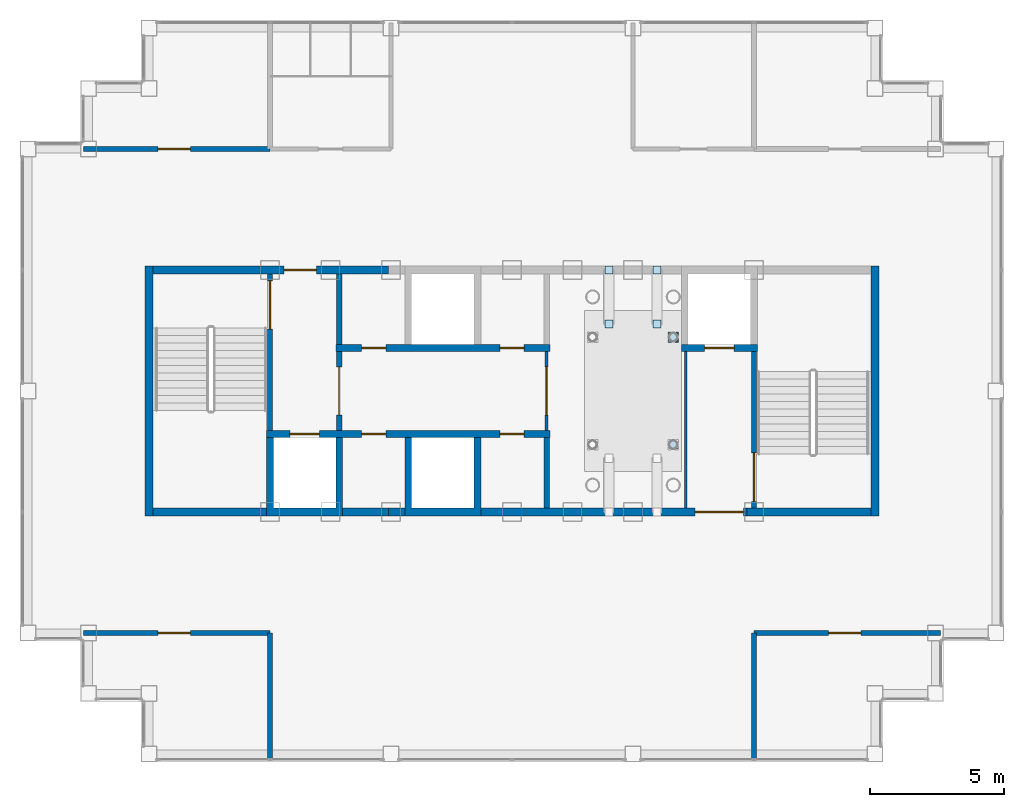
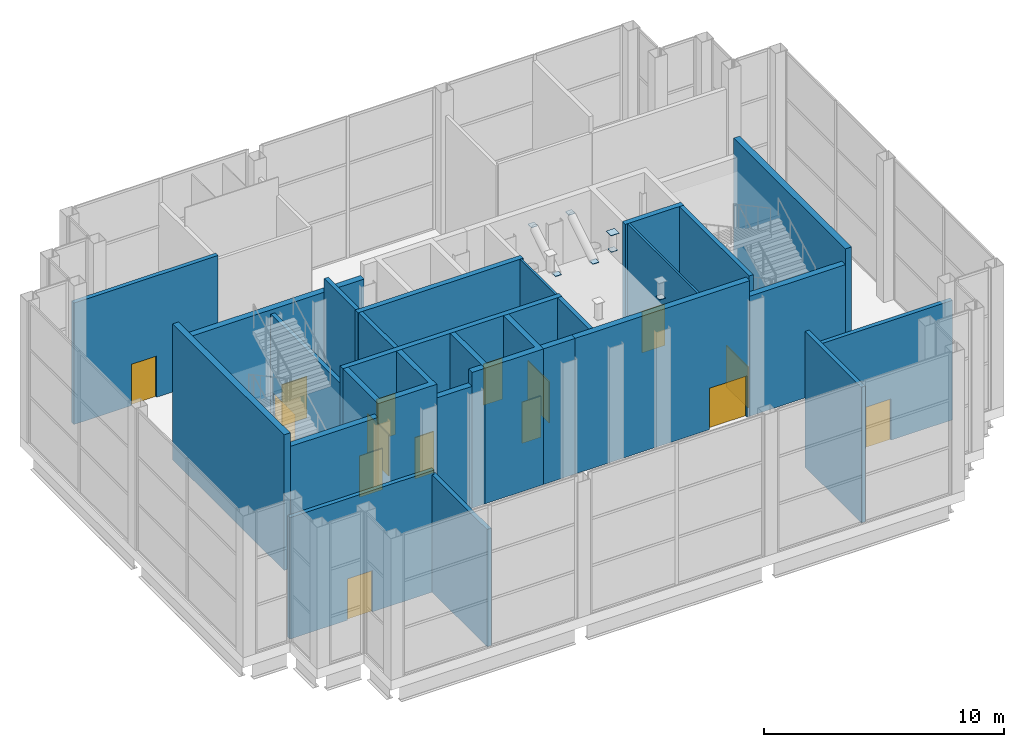
# One storey, part 9 of 15: 26 walls, 15 doors, 7 plates, 15 openings.
"""IFC4 building model written with IfcOpenShell, lengths in metres."""

from ifc_helpers import new_model, si_unit, direction, frame, frame_2d, origin, origin_2d, place, context, subcontext, project, spatial, polyline, rectangle, outline, extrude, material, layer, layer_set, type_object, element, fill, save


model = new_model("IFC4")

# Units and contexts
model_context = context("Model", 3, precision=1e-05, world=origin(), true_north=direction((0.0, 1.0)))
body_context = subcontext(model_context, "Body", "Model", "MODEL_VIEW")
ifc_project = project(units=[si_unit("LENGTHUNIT", "METRE"), si_unit("AREAUNIT", "SQUARE_METRE"), si_unit("VOLUMEUNIT", "CUBIC_METRE"), si_unit("PLANEANGLEUNIT", "RADIAN"), si_unit("MASSUNIT", "GRAM", prefix="KILO")], contexts=[model_context])

# Site, building, storey
site_placement = place(None, origin())
site = spatial("IfcSite", under=ifc_project, at=site_placement, CompositionType="ELEMENT")
building_placement = place(site_placement, origin())
building = spatial("IfcBuilding", under=site, at=building_placement, Name="Caravel Reach Hotel and Residences", CompositionType="ELEMENT")
storey_placement = place(building_placement, frame((0.0, 0.0, 305.60009765625)))
storey = spatial("IfcBuildingStorey", under=building, at=storey_placement, Name="L78", CompositionType="ELEMENT", Elevation=305.60009765625)

# Plates
ifc_material_1 = material(Name="Structural steel Q355B", Category="steel")
ifc_layer_1 = layer(ifc_material_1, 0.02490234375)
ifc_layer_set_1 = layer_set([ifc_layer_1], Name="Damper end plate 25")
plate_type = type_object("IfcPlateType", Name="Damper end plate 25", PredefinedType="SHEET", material=ifc_layer_set_1)
plate_1_placement = place(storey_placement, frame((37.5, 25.0, 5.39990234375), z_axis=(0.0, 0.0, 1.0), x_axis=(1.0, 0.0, 0.0)))
element("IfcPlate", 1, at=plate_1_placement, inside=storey, type_object=plate_type, Name="Tuned mass damper TMD1 end plate", PredefinedType="SHEET", context=body_context, shape_type="SweptSolid", body=[
    extrude(rectangle(XDim=0.300048828125, YDim=0.300048828125, at=origin_2d()), origin(), (0.0, 0.0, 1.0), 0.02490234375),
])
plate_2_placement = place(storey_placement, frame((37.5, 29.0, 6.27490234375), z_axis=(0.0, 0.0, 1.0), x_axis=(1.0, 0.0, 0.0)))
element("IfcPlate", 2, at=plate_2_placement, inside=storey, type_object=plate_type, Name="Tuned mass damper TMD1 end plate", PredefinedType="SHEET", context=body_context, shape_type="SweptSolid", body=[
    extrude(rectangle(XDim=0.39990234375, YDim=0.39990234375, at=origin_2d()), origin(), (0.0, 0.0, 1.0), 0.02490234375),
])
for number, where, z_axis, x_axis, name in (
    (3, (37.5, 29.0, 5.39990234375), (0.0, 0.0, 1.0), (1.0, 0.0, 0.0), "Tuned mass damper TMD1 end plate"),
    (4, (35.10009765625, 31.5, 5.974853515625), (0.0, 0.0, 1.0), (1.0, 0.0, 0.0), "Tuned mass damper TMD1 end plate"),
    (5, (35.10009765625, 29.5, 4.699951171875), (0.0, 0.0, 1.0), (1.0, 0.0, 0.0), "Tuned mass damper TMD1 end plate"),
    (6, (36.89990234375, 31.5, 5.974853515625), (0.0, 0.0, 1.0), (1.0, 0.0, 0.0), "Tuned mass damper TMD1 end plate"),
    (7, (36.89990234375, 29.5, 4.699951171875), (0.0, 0.0, 1.0), (1.0, 0.0, 0.0), "Tuned mass damper TMD1 end plate"),
):
    element("IfcPlate", number, at=place(storey_placement, frame(where, z_axis=z_axis, x_axis=x_axis)), inside=storey, type_object=plate_type, Name=name, PredefinedType="SHEET", context=body_context, shape_type="SweptSolid", body=[
        extrude(rectangle(XDim=0.300048828125, YDim=0.300048828125, at=origin_2d()), origin(), (0.0, 0.0, 1.0), 0.02490234375),
    ])

# Walls
ifc_material_2 = material(Name="Autoclaved aerated block wall")
ifc_layer_2 = layer(ifc_material_2, 0.199951171875)
ifc_layer_set_2 = layer_set([ifc_layer_2], Name="Compartment wall 200 mm EI 120")
wall_type_1 = type_object("IfcWallType", Name="Compartment wall 200 mm EI 120", PredefinedType="PARTITIONING", material=ifc_layer_set_2)
for number, where, z_axis, x_axis, name in (
    (8, (25.071533203125, 28.72509765625, 0.0), (0.0, 0.0, 1.0), (0.0, 1.0, 0.0), "L78 store partition"),
    (9, (32.78564453125, 22.64990234375, 0.0), (0.0, 0.0, 1.0), (0.0, 1.0, 0.0), "L78 damper hall wall S"),
):
    element("IfcWall", number, at=place(storey_placement, frame(where, z_axis=z_axis, x_axis=x_axis)), inside=storey, type_object=wall_type_1, Name=name, PredefinedType="PARTITIONING", context=body_context, shape_type="SweptSolid", body=[
        extrude(rectangle(XDim=2.625, YDim=0.199951171875, at=frame_2d((1.3125, 0.0))), origin(), (0.0, 0.0, 1.0), 6.89990234375),
    ])

# Wall, opening, door
wall_1_placement = place(storey_placement, frame((15.56005859375, 18.0, 0.0), z_axis=(0.0, 0.0, 1.0), x_axis=(1.0, 0.0, 0.0)))
wall_1 = element("IfcWall", 10, at=wall_1_placement, inside=storey, type_object=wall_type_1, Name="L78 wall w005", PredefinedType="PARTITIONING", context=body_context, shape_type="SweptSolid", body=[
    extrude(rectangle(XDim=6.93994140625, YDim=0.199951171875, at=frame_2d((3.469970703125, 0.0))), origin(), (0.0, 0.0, 1.0), 6.179931640625),
])
opening_1_placement = place(wall_1_placement, frame((2.77490234375, 0.0, 0.0)))
opening_1 = element("IfcOpeningElement", 11, at=opening_1_placement, cuts=wall_1, Name="Opening D78-015", PredefinedType="OPENING", context=body_context, shape_type="SweptSolid", body=[
    extrude(rectangle(XDim=1.199951171875, YDim=2.10009765625, at=frame_2d((0.60009765625, 1.050048828125))), frame((0.0, 0.10986328125, 0.0), z_axis=(0.0, -1.0, 0.0), x_axis=(1.0, 0.0, 0.0)), (0.0, 0.0, 1.0), 0.219970703125),
])
ifc_material_3 = material(Name="Steel fire door leaf", Category="steel")
door_type_1 = type_object("IfcDoorType", Name="Plant room door 1200 x 2100 EI 60", OperationType="SINGLE_SWING_LEFT", PredefinedType="DOOR", material=ifc_material_3)
door_1_placement = place(opening_1_placement, origin())
door_1 = element("IfcDoor", 12, at=door_1_placement, inside=storey, type_object=door_type_1, Name="door D78-015", OperationType="SINGLE_SWING_LEFT", OverallHeight=2.10009765625, OverallWidth=1.199951171875, PredefinedType="DOOR", context=body_context, shape_type="SweptSolid", body=[
    extrude(rectangle(XDim=1.199951171875, YDim=2.10009765625, at=frame_2d((0.60009765625, 1.050048828125))), frame((0.0, 0.02490234375, 0.0), z_axis=(0.0, -1.0, 0.0), x_axis=(1.0, 0.0, 0.0)), (0.0, 0.0, 1.0), 0.050048828125),
])
fill(opening_1, door_1)

wall_2_placement = place(storey_placement, frame((40.5, 18.0, 0.0), z_axis=(0.0, 0.0, 1.0), x_axis=(1.0, 0.0, 0.0)))
wall_2 = element("IfcWall", 13, at=wall_2_placement, inside=storey, type_object=wall_type_1, Name="L78 wall w006", PredefinedType="PARTITIONING", context=body_context, shape_type="SweptSolid", body=[
    extrude(rectangle(XDim=6.93994140625, YDim=0.199951171875, at=frame_2d((3.469970703125, 0.0))), origin(), (0.0, 0.0, 1.0), 6.079833984375),
])
opening_2_placement = place(wall_2_placement, frame((2.77490234375, 0.0, 0.0)))
opening_2 = element("IfcOpeningElement", 14, at=opening_2_placement, cuts=wall_2, Name="Opening D78-016", PredefinedType="OPENING", context=body_context, shape_type="SweptSolid", body=[
    extrude(rectangle(XDim=1.199951171875, YDim=2.10009765625, at=frame_2d((0.60009765625, 1.050048828125))), frame((0.0, 0.10986328125, 0.0), z_axis=(0.0, -1.0, 0.0), x_axis=(1.0, 0.0, 0.0)), (0.0, 0.0, 1.0), 0.219970703125),
])
door_2_placement = place(opening_2_placement, origin())
door_2 = element("IfcDoor", 15, at=door_2_placement, inside=storey, type_object=door_type_1, Name="door D78-016", OperationType="SINGLE_SWING_RIGHT", OverallHeight=2.10009765625, OverallWidth=1.199951171875, PredefinedType="DOOR", context=body_context, shape_type="SweptSolid", body=[
    extrude(rectangle(XDim=1.199951171875, YDim=2.10009765625, at=frame_2d((0.60009765625, 1.050048828125))), frame((0.0, 0.02490234375, 0.0), z_axis=(0.0, -1.0, 0.0), x_axis=(1.0, 0.0, 0.0)), (0.0, 0.0, 1.0), 0.050048828125),
])
fill(opening_2, door_2)

wall_3_placement = place(storey_placement, frame((15.56005859375, 36.0, 0.0), z_axis=(0.0, 0.0, 1.0), x_axis=(1.0, 0.0, 0.0)))
wall_3 = element("IfcWall", 16, at=wall_3_placement, inside=storey, type_object=wall_type_1, Name="L78 wall w007", PredefinedType="PARTITIONING", context=body_context, shape_type="SweptSolid", body=[
    extrude(rectangle(XDim=6.93994140625, YDim=0.199951171875, at=frame_2d((3.469970703125, 0.0))), origin(), (0.0, 0.0, 1.0), 6.179931640625),
])
opening_3_placement = place(wall_3_placement, frame((2.77490234375, 0.0, 0.0)))
opening_3 = element("IfcOpeningElement", 17, at=opening_3_placement, cuts=wall_3, Name="Opening D78-013", PredefinedType="OPENING", context=body_context, shape_type="SweptSolid", body=[
    extrude(rectangle(XDim=1.199951171875, YDim=2.10009765625, at=frame_2d((0.60009765625, 1.050048828125))), frame((0.0, 0.10986328125, 0.0), z_axis=(0.0, -1.0, 0.0), x_axis=(1.0, 0.0, 0.0)), (0.0, 0.0, 1.0), 0.219970703125),
])
door_3_placement = place(opening_3_placement, origin())
door_3 = element("IfcDoor", 18, at=door_3_placement, inside=storey, type_object=door_type_1, Name="door D78-013", OperationType="SINGLE_SWING_RIGHT", OverallHeight=2.10009765625, OverallWidth=1.199951171875, PredefinedType="DOOR", context=body_context, shape_type="SweptSolid", body=[
    extrude(rectangle(XDim=1.199951171875, YDim=2.10009765625, at=frame_2d((0.60009765625, 1.050048828125))), frame((0.0, 0.02490234375, 0.0), z_axis=(0.0, -1.0, 0.0), x_axis=(1.0, 0.0, 0.0)), (0.0, 0.0, 1.0), 0.050048828125),
])
fill(opening_3, door_3)

# Walls
wall_4_placement = place(storey_placement, frame((22.5, 13.31005859375, 0.0), z_axis=(0.0, 0.0, 1.0), x_axis=(0.0, 1.0, 0.0)))
element("IfcWall", 19, at=wall_4_placement, inside=storey, type_object=wall_type_1, Name="L78 wall w010", PredefinedType="PARTITIONING", context=body_context, shape_type="SweptSolid", body=[
    extrude(rectangle(XDim=4.68994140625, YDim=0.199951171875, at=frame_2d((2.344970703125, 0.0))), origin(), (0.0, 0.0, 1.0), 5.968017578125),
])
wall_5_placement = place(storey_placement, frame((40.5, 13.31005859375, 0.0), z_axis=(0.0, 0.0, 1.0), x_axis=(0.0, 1.0, 0.0)))
element("IfcWall", 20, at=wall_5_placement, inside=storey, type_object=wall_type_1, Name="L78 wall w012", PredefinedType="PARTITIONING", context=body_context, shape_type="SweptSolid", body=[
    extrude(rectangle(XDim=4.68994140625, YDim=0.199951171875, at=frame_2d((2.344970703125, 0.0))), origin(), (0.0, 0.0, 1.0), 6.89990234375),
])
ifc_material_4 = material(Name="Concrete C60", Category="concrete")
ifc_layer_3 = layer(ifc_material_4, 0.300048828125)
ifc_layer_set_3 = layer_set([ifc_layer_3], Name="Core wall 300 mm EI 120")
wall_type_2 = type_object("IfcWallType", Name="Core wall 300 mm EI 120", PredefinedType="SHEAR", material=ifc_layer_set_3)
wall_6_placement = place(storey_placement, frame((18.14990234375, 22.5, 0.0), z_axis=(0.0, 0.0, 1.0), x_axis=(1.0, 0.0, 0.0)))
element("IfcWall", 21, at=wall_6_placement, inside=storey, type_object=wall_type_2, Name="L78 core wall S1", PredefinedType="SHEAR", context=body_context, shape_type="SweptSolid", body=[
    extrude(rectangle(XDim=4.22509765625, YDim=0.300048828125, at=frame_2d((2.112548828125, 0.0))), origin(), (0.0, 0.0, 1.0), 6.199951171875),
])
wall_7_placement = place(storey_placement, frame((25.196533203125, 22.5, 0.0), z_axis=(0.0, 0.0, 1.0), x_axis=(1.0, 0.0, 0.0)))
element("IfcWall", 22, at=wall_7_placement, inside=storey, type_object=wall_type_2, Name="L78 core wall S2", PredefinedType="SHEAR", context=body_context, shape_type="SweptSolid", body=[
    extrude(rectangle(XDim=1.70361328125, YDim=0.300048828125, at=frame_2d((0.851806640625, 0.0))), origin(), (0.0, 0.0, 1.0), 6.199951171875),
])
wall_8_placement = place(storey_placement, frame((30.33935546875, 22.5, 0.0), z_axis=(0.0, 0.0, 1.0), x_axis=(1.0, 0.0, 0.0)))
element("IfcWall", 23, at=wall_8_placement, inside=storey, type_object=wall_type_2, Name="L78 core wall S3", PredefinedType="SHEAR", context=body_context, shape_type="SweptSolid", body=[
    extrude(rectangle(XDim=1.5107421875, YDim=0.300048828125, at=frame_2d((0.75537109375, 0.0))), origin(), (0.0, 0.0, 1.0), 6.89990234375),
])

# Wall, opening, door
wall_9_placement = place(storey_placement, frame((18.14990234375, 31.5, 0.0), z_axis=(0.0, 0.0, 1.0), x_axis=(1.0, 0.0, 0.0)))
wall_9 = element("IfcWall", 24, at=wall_9_placement, inside=storey, type_object=wall_type_2, Name="L78 core wall N1", PredefinedType="SHEAR", context=body_context, shape_type="SweptSolid", body=[
    extrude(rectangle(XDim=8.75, YDim=0.300048828125, at=frame_2d((4.375, 0.0))), origin(), (0.0, 0.0, 1.0), 6.199951171875),
])
opening_4_placement = place(wall_9_placement, frame((4.875, 0.0, 0.0)))
opening_4 = element("IfcOpeningElement", 25, at=opening_4_placement, cuts=wall_9, Name="Opening D78-011", PredefinedType="OPENING", context=body_context, shape_type="SweptSolid", body=[
    extrude(rectangle(XDim=1.199951171875, YDim=2.10009765625, at=frame_2d((0.60009765625, 1.050048828125))), frame((0.0, 0.159912109375, 0.0), z_axis=(0.0, -1.0, 0.0), x_axis=(1.0, 0.0, 0.0)), (0.0, 0.0, 1.0), 0.320068359375),
])
ifc_material_5 = material(Name="Steel fire door leaf", Category="steel")
door_type_2 = type_object("IfcDoorType", Name="Fire lobby door 1200 x 2100 EI 90", OperationType="SINGLE_SWING_LEFT", PredefinedType="DOOR", material=ifc_material_5)
door_4_placement = place(opening_4_placement, origin())
door_4 = element("IfcDoor", 26, at=door_4_placement, inside=storey, type_object=door_type_2, Name="lobby N door to corridor", OperationType="SINGLE_SWING_LEFT", OverallHeight=2.10009765625, OverallWidth=1.199951171875, PredefinedType="DOOR", context=body_context, shape_type="SweptSolid", body=[
    extrude(rectangle(XDim=1.199951171875, YDim=2.10009765625, at=frame_2d((0.60009765625, 1.050048828125))), frame((0.0, 0.02490234375, 0.0), z_axis=(0.0, -1.0, 0.0), x_axis=(1.0, 0.0, 0.0)), (0.0, 0.0, 1.0), 0.050048828125),
])
fill(opening_4, door_4)

# Walls
for number, where, z_axis, x_axis, name in (
    (27, (18.0, 22.35009765625, 0.0), (0.0, 0.0, 1.0), (0.0, 1.0, 0.0), "L78 core wall W"),
    (28, (45.0, 22.35009765625, 0.0), (0.0, 0.0, 1.0), (0.0, 1.0, 0.0), "L78 core wall E"),
):
    element("IfcWall", number, at=place(storey_placement, frame(where, z_axis=z_axis, x_axis=x_axis)), inside=storey, type_object=wall_type_2, Name=name, PredefinedType="SHEAR", context=body_context, shape_type="SweptSolid", body=[
        extrude(rectangle(XDim=9.2998046875, YDim=0.300048828125, at=frame_2d((4.64990234375, 0.0))), origin(), (0.0, 0.0, 1.0), 6.89990234375),
    ])
wall_10_placement = place(storey_placement, frame((26.900146484375, 22.5, 0.0), z_axis=(0.0, 0.0, 1.0), x_axis=(1.0, 0.0, 0.0)))
element("IfcWall", 29, at=wall_10_placement, inside=storey, type_object=wall_type_2, Name="L78 core wall S2 (2)", PredefinedType="SHEAR", context=body_context, shape_type="SweptSolid", body=[
    extrude(rectangle(XDim=0.61767578125, YDim=0.300048828125, at=frame_2d((0.308837890625, 0.0))), origin(), (0.0, 0.0, 1.0), 6.89990234375),
])

# Wall, opening, door
wall_11_placement = place(storey_placement, frame((31.85009765625, 22.5, 0.0), z_axis=(0.0, 0.0, 1.0), x_axis=(1.0, 0.0, 0.0)))
wall_11 = element("IfcWall", 30, at=wall_11_placement, inside=storey, type_object=wall_type_2, Name="L78 core wall S3 (2)", PredefinedType="SHEAR", context=body_context, shape_type="SweptSolid", body=[
    extrude(rectangle(XDim=8.39990234375, YDim=0.300048828125, at=frame_2d((4.199951171875, 0.0))), origin(), (0.0, 0.0, 1.0), 6.89990234375),
])
opening_5_placement = place(wall_11_placement, frame((6.46435546875, 0.0, 0.0)))
opening_5 = element("IfcOpeningElement", 31, at=opening_5_placement, cuts=wall_11, Name="Opening D78-012", PredefinedType="OPENING", context=body_context, shape_type="SweptSolid", body=[
    extrude(rectangle(XDim=1.800048828125, YDim=2.10009765625, at=frame_2d((0.89990234375, 1.050048828125))), frame((0.0, 0.159912109375, 0.0), z_axis=(0.0, -1.0, 0.0), x_axis=(1.0, 0.0, 0.0)), (0.0, 0.0, 1.0), 0.320068359375),
])
ifc_material_6 = material(Name="Steel fire door leaf", Category="steel")
door_type_3 = type_object("IfcDoorType", Name="Fire lobby door pair 1800 x 2100 EI 90", OperationType="DOUBLE_DOOR_SINGLE_SWING", PredefinedType="DOOR", material=ifc_material_6)
door_5_placement = place(opening_5_placement, origin())
door_5 = element("IfcDoor", 32, at=door_5_placement, inside=storey, type_object=door_type_3, Name="lobby S door pair to corridor", OperationType="DOUBLE_DOOR_SINGLE_SWING", OverallHeight=2.10009765625, OverallWidth=1.800048828125, PredefinedType="DOOR", context=body_context, shape_type="SweptSolid", body=[
    extrude(rectangle(XDim=1.800048828125, YDim=2.10009765625, at=frame_2d((0.89990234375, 1.050048828125))), frame((0.0, 0.02490234375, 0.0), z_axis=(0.0, -1.0, 0.0), x_axis=(1.0, 0.0, 0.0)), (0.0, 0.0, 1.0), 0.050048828125),
])
fill(opening_5, door_5)

# Wall
wall_12_placement = place(storey_placement, frame((40.25, 22.5, 0.0), z_axis=(0.0, 0.0, 1.0), x_axis=(1.0, 0.0, 0.0)))
element("IfcWall", 33, at=wall_12_placement, inside=storey, type_object=wall_type_2, Name="L78 core wall S3 (3)", PredefinedType="SHEAR", context=body_context, shape_type="SweptSolid", body=[
    extrude(rectangle(XDim=4.60009765625, YDim=0.300048828125, at=frame_2d((2.300048828125, 0.0))), origin(), (0.0, 0.0, 1.0), 6.099853515625),
])

# Wall, opening, door
ifc_material_7 = material(Name="Autoclaved aerated block wall")
ifc_layer_4 = layer(ifc_material_7, 0.199951171875)
ifc_layer_set_4 = layer_set([ifc_layer_4], Name="Fire lobby wall 200 mm EI 120")
wall_type_3 = type_object("IfcWallType", Name="Fire lobby wall 200 mm EI 120", PredefinedType="PARTITIONING", material=ifc_layer_set_4)
wall_13_placement = place(storey_placement, frame((25.071533203125, 25.52490234375, 0.0), z_axis=(0.0, 0.0, 1.0), x_axis=(0.0, 1.0, 0.0)))
wall_13 = element("IfcWall", 34, at=wall_13_placement, inside=storey, type_object=wall_type_3, Name="L78 lobby W wall", PredefinedType="PARTITIONING", context=body_context, shape_type="SweptSolid", body=[
    extrude(rectangle(XDim=2.9501953125, YDim=0.199951171875, at=frame_2d((1.47509765625, 0.0))), origin(), (0.0, 0.0, 1.0), 6.89990234375),
])
opening_6_placement = place(wall_13_placement, frame((0.574951171875, 0.0, 0.0)))
opening_6 = element("IfcOpeningElement", 35, at=opening_6_placement, cuts=wall_13, Name="Opening D78-009", PredefinedType="OPENING", context=body_context, shape_type="SweptSolid", body=[
    extrude(rectangle(XDim=1.800048828125, YDim=2.10009765625, at=frame_2d((0.89990234375, 1.050048828125))), frame((0.0, 0.10986328125, 0.0), z_axis=(0.0, -1.0, 0.0), x_axis=(1.0, 0.0, 0.0)), (0.0, 0.0, 1.0), 0.219970703125),
])
door_6_placement = place(opening_6_placement, origin())
door_6 = element("IfcDoor", 36, at=door_6_placement, inside=storey, type_object=door_type_3, Name="lobby W door pair", OperationType="DOUBLE_DOOR_SINGLE_SWING", OverallHeight=2.10009765625, OverallWidth=1.800048828125, PredefinedType="DOOR", context=body_context, shape_type="SweptSolid", body=[
    extrude(rectangle(XDim=1.800048828125, YDim=2.10009765625, at=frame_2d((0.89990234375, 1.050048828125))), frame((0.0, 0.02490234375, 0.0), z_axis=(0.0, -1.0, 0.0), x_axis=(1.0, 0.0, 0.0)), (0.0, 0.0, 1.0), 0.050048828125),
])
fill(opening_6, door_6)

ifc_material_8 = material(Name="Toughened glass in steel frame", Category="steel")
ifc_layer_5 = layer(ifc_material_8, 0.10009765625)
ifc_layer_set_5 = layer_set([ifc_layer_5], Name="Glazed partition 100 mm")
wall_type_4 = type_object("IfcWallType", Name="Glazed partition 100 mm", PredefinedType="PARTITIONING", material=ifc_layer_set_5)
wall_14_placement = place(storey_placement, frame((32.78564453125, 25.52490234375, 0.0), z_axis=(0.0, 0.0, 1.0), x_axis=(0.0, 1.0, 0.0)))
wall_14 = element("IfcWall", 37, at=wall_14_placement, inside=storey, type_object=wall_type_4, Name="L78 damper hall glazed screen W", PredefinedType="PARTITIONING", context=body_context, shape_type="SweptSolid", body=[
    extrude(rectangle(XDim=2.9501953125, YDim=0.10009765625, at=frame_2d((1.47509765625, 0.0))), origin(), (0.0, 0.0, 1.0), 6.89990234375),
])
opening_7_placement = place(wall_14_placement, frame((0.574951171875, 0.0, 0.0)))
opening_7 = element("IfcOpeningElement", 38, at=opening_7_placement, cuts=wall_14, Name="Opening D78-010", PredefinedType="OPENING", context=body_context, shape_type="SweptSolid", body=[
    extrude(rectangle(XDim=1.800048828125, YDim=2.10009765625, at=frame_2d((0.89990234375, 1.050048828125))), frame((0.0, 0.06005859375, 0.0), z_axis=(0.0, -1.0, 0.0), x_axis=(1.0, 0.0, 0.0)), (0.0, 0.0, 1.0), 0.1201171875),
])
ifc_material_9 = material(Name="Timber and steel door leaf", Category="steel")
door_type_4 = type_object("IfcDoorType", Name="Glazed door pair 1800 x 2100", OperationType="DOUBLE_DOOR_SINGLE_SWING", PredefinedType="DOOR", material=ifc_material_9)
door_7_placement = place(opening_7_placement, origin())
door_7 = element("IfcDoor", 39, at=door_7_placement, inside=storey, type_object=door_type_4, Name="damper hall door pair", OperationType="DOUBLE_DOOR_SINGLE_SWING", OverallHeight=2.10009765625, OverallWidth=1.800048828125, PredefinedType="DOOR", context=body_context, shape_type="SweptSolid", body=[
    extrude(rectangle(XDim=1.800048828125, YDim=2.10009765625, at=frame_2d((0.89990234375, 1.050048828125))), frame((0.0, 0.02490234375, 0.0), z_axis=(0.0, -1.0, 0.0), x_axis=(1.0, 0.0, 0.0)), (0.0, 0.0, 1.0), 0.050048828125),
])
fill(opening_7, door_7)

# Walls
wall_15_placement = place(storey_placement, frame((37.9599609375, 22.64990234375, 0.0), z_axis=(0.0, 0.0, 1.0), x_axis=(0.0, 1.0, 0.0)))
element("IfcWall", 40, at=wall_15_placement, inside=storey, type_object=wall_type_4, Name="L78 damper hall glazed screen E", PredefinedType="PARTITIONING", context=body_context, shape_type="SweptSolid", body=[
    extrude(rectangle(XDim=5.8251953125, YDim=0.10009765625, at=frame_2d((2.91259765625, 0.0))), origin(), (0.0, 0.0, 1.0), 6.89990234375),
])
ifc_material_10 = material(Name="Concrete C60", Category="concrete")
ifc_layer_6 = layer(ifc_material_10, 0.25)
ifc_layer_set_6 = layer_set([ifc_layer_6], Name="Shaft wall 250 mm EI 120")
wall_type_5 = type_object("IfcWallType", Name="Shaft wall 250 mm EI 120", PredefinedType="SHEAR", material=ifc_layer_set_6)
wall_16_placement = place(storey_placement, origin())
element("IfcWall", 41, at=wall_16_placement, inside=storey, type_object=wall_type_5, Name="L78 lift shaft wall S1", PredefinedType="SHEAR", context=body_context, shape_type="SweptSolid", body=[
    extrude(outline(polyline([(22.375, 22.35009765625), (25.196533203125, 22.35009765625), (25.196533203125, 25.27490234375), (24.946533203125, 25.27490234375), (24.946533203125, 22.64990234375), (22.625, 22.64990234375), (22.625, 25.27490234375), (22.375, 25.27490234375), (22.375, 22.35009765625)])), origin(), (0.0, 0.0, 1.0), 6.89990234375),
])
wall_17_placement = place(storey_placement, origin())
element("IfcWall", 42, at=wall_17_placement, inside=storey, type_object=wall_type_5, Name="L78 lift shaft wall S2", PredefinedType="SHEAR", context=body_context, shape_type="SweptSolid", body=[
    extrude(outline(polyline([(27.517822265625, 22.35009765625), (30.33935546875, 22.35009765625), (30.33935546875, 25.27490234375), (30.08935546875, 25.27490234375), (30.08935546875, 22.64990234375), (27.767822265625, 22.64990234375), (27.767822265625, 25.27490234375), (27.517822265625, 25.27490234375), (27.517822265625, 22.35009765625)])), origin(), (0.0, 0.0, 1.0), 6.89990234375),
])

# Wall, openings, doors
wall_18_placement = place(storey_placement, frame((22.375, 25.39990234375, 0.0), z_axis=(0.0, 0.0, 1.0), x_axis=(1.0, 0.0, 0.0)))
wall_18 = element("IfcWall", 43, at=wall_18_placement, inside=storey, type_object=wall_type_5, Name="L78 lobby wall S1", PredefinedType="SHEAR", context=body_context, shape_type="SweptSolid", body=[
    extrude(rectangle(XDim=10.53564453125, YDim=0.25, at=frame_2d((5.267822265625, 0.0))), origin(), (0.0, 0.0, 1.0), 6.89990234375),
])
opening_8_placement = place(wall_18_placement, frame((0.860595703125, 0.0, 0.0)))
opening_8 = element("IfcOpeningElement", 44, at=opening_8_placement, cuts=wall_18, Name="Opening D78-001", PredefinedType="OPENING", context=body_context, shape_type="SweptSolid", body=[
    extrude(rectangle(XDim=1.10009765625, YDim=2.10009765625, at=frame_2d((0.550048828125, 1.050048828125))), frame((0.0, 0.135009765625, 0.0), z_axis=(0.0, -1.0, 0.0), x_axis=(1.0, 0.0, 0.0)), (0.0, 0.0, 1.0), 0.27001953125),
])
opening_9_placement = place(wall_18_placement, frame((3.531982421875, 0.0, 0.0)))
opening_9 = element("IfcOpeningElement", 45, at=opening_9_placement, cuts=wall_18, Name="Opening D78-003", PredefinedType="OPENING", context=body_context, shape_type="SweptSolid", body=[
    extrude(rectangle(XDim=0.89990234375, YDim=2.10009765625, at=frame_2d((0.449951171875, 1.050048828125))), frame((0.0, 0.135009765625, 0.0), z_axis=(0.0, -1.0, 0.0), x_axis=(1.0, 0.0, 0.0)), (0.0, 0.0, 1.0), 0.27001953125),
])
opening_10_placement = place(wall_18_placement, frame((8.675048828125, 0.0, 0.0)))
opening_10 = element("IfcOpeningElement", 46, at=opening_10_placement, cuts=wall_18, Name="Opening D78-004", PredefinedType="OPENING", context=body_context, shape_type="SweptSolid", body=[
    extrude(rectangle(XDim=0.89990234375, YDim=2.10009765625, at=frame_2d((0.449951171875, 1.050048828125))), frame((0.0, 0.135009765625, 0.0), z_axis=(0.0, -1.0, 0.0), x_axis=(1.0, 0.0, 0.0)), (0.0, 0.0, 1.0), 0.27001953125),
])
ifc_material_11 = material(Name="Stainless steel landing door", Category="steel")
door_type_5 = type_object("IfcDoorType", Name="Landing door LD 1100 x 2100 sliding", OperationType="DOUBLE_DOOR_SLIDING", PredefinedType="DOOR", material=ifc_material_11)
door_8_placement = place(opening_8_placement, origin())
door_8 = element("IfcDoor", 47, at=door_8_placement, inside=storey, type_object=door_type_5, Name="FL1 landing door", OperationType="DOUBLE_DOOR_SLIDING", OverallHeight=2.10009765625, OverallWidth=1.10009765625, PredefinedType="DOOR", context=body_context, shape_type="SweptSolid", body=[
    extrude(rectangle(XDim=1.10009765625, YDim=2.10009765625, at=frame_2d((0.550048828125, 1.050048828125))), frame((0.0, 0.02490234375, 0.0), z_axis=(0.0, -1.0, 0.0), x_axis=(1.0, 0.0, 0.0)), (0.0, 0.0, 1.0), 0.050048828125),
])
fill(opening_8, door_8)
ifc_material_12 = material(Name="Steel fire door leaf", Category="steel")
door_type_6 = type_object("IfcDoorType", Name="Riser door 900 x 2100 EI 60", OperationType="SINGLE_SWING_LEFT", PredefinedType="DOOR", material=ifc_material_12)
door_9_placement = place(opening_9_placement, origin())
door_9 = element("IfcDoor", 48, at=door_9_placement, inside=storey, type_object=door_type_6, Name="Electrical riser room door", OperationType="SINGLE_SWING_LEFT", OverallHeight=2.10009765625, OverallWidth=0.89990234375, PredefinedType="DOOR", context=body_context, shape_type="SweptSolid", body=[
    extrude(rectangle(XDim=0.89990234375, YDim=2.10009765625, at=frame_2d((0.449951171875, 1.050048828125))), frame((0.0, 0.02490234375, 0.0), z_axis=(0.0, -1.0, 0.0), x_axis=(1.0, 0.0, 0.0)), (0.0, 0.0, 1.0), 0.050048828125),
])
fill(opening_9, door_9)
door_10_placement = place(opening_10_placement, origin())
door_10 = element("IfcDoor", 49, at=door_10_placement, inside=storey, type_object=door_type_6, Name="Comms room door", OperationType="SINGLE_SWING_LEFT", OverallHeight=2.10009765625, OverallWidth=0.89990234375, PredefinedType="DOOR", context=body_context, shape_type="SweptSolid", body=[
    extrude(rectangle(XDim=0.89990234375, YDim=2.10009765625, at=frame_2d((0.449951171875, 1.050048828125))), frame((0.0, 0.02490234375, 0.0), z_axis=(0.0, -1.0, 0.0), x_axis=(1.0, 0.0, 0.0)), (0.0, 0.0, 1.0), 0.050048828125),
])
fill(opening_10, door_10)

wall_19_placement = place(storey_placement, frame((24.946533203125, 28.60009765625, 0.0), z_axis=(0.0, 0.0, 1.0), x_axis=(1.0, 0.0, 0.0)))
wall_19 = element("IfcWall", 50, at=wall_19_placement, inside=storey, type_object=wall_type_5, Name="L78 lobby wall N1", PredefinedType="SHEAR", context=body_context, shape_type="SweptSolid", body=[
    extrude(rectangle(XDim=7.964111328125, YDim=0.25, at=frame_2d((3.98193359375, 0.0))), origin(), (0.0, 0.0, 1.0), 6.89990234375),
])
opening_11_placement = place(wall_19_placement, frame((0.960693359375, 0.0, 0.0)))
opening_11 = element("IfcOpeningElement", 51, at=opening_11_placement, cuts=wall_19, Name="Opening D78-005", PredefinedType="OPENING", context=body_context, shape_type="SweptSolid", body=[
    extrude(rectangle(XDim=0.89990234375, YDim=2.10009765625, at=frame_2d((0.449951171875, 1.050048828125))), frame((0.0, 0.135009765625, 0.0), z_axis=(0.0, -1.0, 0.0), x_axis=(1.0, 0.0, 0.0)), (0.0, 0.0, 1.0), 0.27001953125),
])
opening_12_placement = place(wall_19_placement, frame((6.103515625, 0.0, 0.0)))
opening_12 = element("IfcOpeningElement", 52, at=opening_12_placement, cuts=wall_19, Name="Opening D78-006", PredefinedType="OPENING", context=body_context, shape_type="SweptSolid", body=[
    extrude(rectangle(XDim=0.89990234375, YDim=2.10009765625, at=frame_2d((0.449951171875, 1.050048828125))), frame((0.0, 0.135009765625, 0.0), z_axis=(0.0, -1.0, 0.0), x_axis=(1.0, 0.0, 0.0)), (0.0, 0.0, 1.0), 0.27001953125),
])
door_11_placement = place(opening_11_placement, origin())
door_11 = element("IfcDoor", 53, at=door_11_placement, inside=storey, type_object=door_type_6, Name="Package store door", OperationType="SINGLE_SWING_LEFT", OverallHeight=2.10009765625, OverallWidth=0.89990234375, PredefinedType="DOOR", context=body_context, shape_type="SweptSolid", body=[
    extrude(rectangle(XDim=0.89990234375, YDim=2.10009765625, at=frame_2d((0.449951171875, 1.050048828125))), frame((0.0, 0.02490234375, 0.0), z_axis=(0.0, -1.0, 0.0), x_axis=(1.0, 0.0, 0.0)), (0.0, 0.0, 1.0), 0.050048828125),
])
fill(opening_11, door_11)
door_12_placement = place(opening_12_placement, origin())
door_12 = element("IfcDoor", 54, at=door_12_placement, inside=storey, type_object=door_type_6, Name="Water tank room door", OperationType="SINGLE_SWING_LEFT", OverallHeight=2.10009765625, OverallWidth=0.89990234375, PredefinedType="DOOR", context=body_context, shape_type="SweptSolid", body=[
    extrude(rectangle(XDim=0.89990234375, YDim=2.10009765625, at=frame_2d((0.449951171875, 1.050048828125))), frame((0.0, 0.02490234375, 0.0), z_axis=(0.0, -1.0, 0.0), x_axis=(1.0, 0.0, 0.0)), (0.0, 0.0, 1.0), 0.050048828125),
])
fill(opening_12, door_12)

# Wall, opening, door
wall_20_placement = place(storey_placement, frame((37.803466796875, 28.60009765625, 0.0), z_axis=(0.0, 0.0, 1.0), x_axis=(1.0, 0.0, 0.0)))
wall_20 = element("IfcWall", 55, at=wall_20_placement, inside=storey, type_object=wall_type_5, Name="L78 lobby wall N2", PredefinedType="SHEAR", context=body_context, shape_type="SweptSolid", body=[
    extrude(rectangle(XDim=2.821533203125, YDim=0.25, at=frame_2d((1.41064453125, 0.0))), origin(), (0.0, 0.0, 1.0), 6.89990234375),
])
opening_13_placement = place(wall_20_placement, frame((0.860595703125, 0.0, 0.0)))
opening_13 = element("IfcOpeningElement", 56, at=opening_13_placement, cuts=wall_20, Name="Opening D78-002", PredefinedType="OPENING", context=body_context, shape_type="SweptSolid", body=[
    extrude(rectangle(XDim=1.10009765625, YDim=2.10009765625, at=frame_2d((0.550048828125, 1.050048828125))), frame((0.0, 0.135009765625, 0.0), z_axis=(0.0, -1.0, 0.0), x_axis=(1.0, 0.0, 0.0)), (0.0, 0.0, 1.0), 0.27001953125),
])
door_13_placement = place(opening_13_placement, origin())
door_13 = element("IfcDoor", 57, at=door_13_placement, inside=storey, type_object=door_type_5, Name="FL2 landing door", OperationType="DOUBLE_DOOR_SLIDING", OverallHeight=2.10009765625, OverallWidth=1.10009765625, PredefinedType="DOOR", context=body_context, shape_type="SweptSolid", body=[
    extrude(rectangle(XDim=1.10009765625, YDim=2.10009765625, at=frame_2d((0.550048828125, 1.050048828125))), frame((0.0, 0.02490234375, 0.0), z_axis=(0.0, -1.0, 0.0), x_axis=(1.0, 0.0, 0.0)), (0.0, 0.0, 1.0), 0.050048828125),
])
fill(opening_13, door_13)

ifc_material_13 = material(Name="Concrete C60", Category="concrete")
ifc_layer_7 = layer(ifc_material_13, 0.199951171875)
ifc_layer_set_7 = layer_set([ifc_layer_7], Name="Stair enclosure wall 200 mm EI 120")
wall_type_6 = type_object("IfcWallType", Name="Stair enclosure wall 200 mm EI 120", PredefinedType="SHEAR", material=ifc_layer_set_7)
wall_21_placement = place(storey_placement, frame((22.5, 31.35009765625, 0.0), z_axis=(0.0, 0.0, 1.0), x_axis=(0.0, -1.0, 0.0)))
wall_21 = element("IfcWall", 58, at=wall_21_placement, inside=storey, type_object=wall_type_6, Name="L78 stair A wall", PredefinedType="SHEAR", context=body_context, shape_type="SweptSolid", body=[
    extrude(rectangle(XDim=5.8251953125, YDim=0.199951171875, at=frame_2d((2.91259765625, 0.0))), origin(), (0.0, 0.0, 1.0), 5.98779296875),
])
opening_14_placement = place(wall_21_placement, frame((0.25, 0.0, 0.0)))
opening_14 = element("IfcOpeningElement", 59, at=opening_14_placement, cuts=wall_21, Name="Opening D78-007", PredefinedType="OPENING", context=body_context, shape_type="SweptSolid", body=[
    extrude(rectangle(XDim=1.800048828125, YDim=2.10009765625, at=frame_2d((0.89990234375, 1.050048828125))), frame((0.0, 0.10986328125, 0.0), z_axis=(0.0, -1.0, 0.0), x_axis=(1.0, 0.0, 0.0)), (0.0, 0.0, 1.0), 0.219970703125),
])
ifc_material_14 = material(Name="Steel fire door leaf", Category="steel")
door_type_7 = type_object("IfcDoorType", Name="Stair door pair 1800 x 2100 EI 90", OperationType="DOUBLE_DOOR_SINGLE_SWING", PredefinedType="DOOR", material=ifc_material_14)
door_14_placement = place(opening_14_placement, origin())
door_14 = element("IfcDoor", 60, at=door_14_placement, inside=storey, type_object=door_type_7, Name="stair A door pair", OperationType="DOUBLE_DOOR_SINGLE_SWING", OverallHeight=2.10009765625, OverallWidth=1.800048828125, PredefinedType="DOOR", context=body_context, shape_type="SweptSolid", body=[
    extrude(rectangle(XDim=1.800048828125, YDim=2.10009765625, at=frame_2d((0.89990234375, 1.050048828125))), frame((0.0, 0.02490234375, 0.0), z_axis=(0.0, -1.0, 0.0), x_axis=(1.0, 0.0, 0.0)), (0.0, 0.0, 1.0), 0.050048828125),
])
fill(opening_14, door_14)

wall_22_placement = place(storey_placement, frame((40.5, 22.64990234375, 0.0), z_axis=(0.0, 0.0, 1.0), x_axis=(0.0, 1.0, 0.0)))
wall_22 = element("IfcWall", 61, at=wall_22_placement, inside=storey, type_object=wall_type_6, Name="L78 stair B wall", PredefinedType="SHEAR", context=body_context, shape_type="SweptSolid", body=[
    extrude(rectangle(XDim=5.8251953125, YDim=0.199951171875, at=frame_2d((2.91259765625, 0.0))), origin(), (0.0, 0.0, 1.0), 6.89990234375),
])
opening_15_placement = place(wall_22_placement, frame((0.25, 0.0, 0.0)))
opening_15 = element("IfcOpeningElement", 62, at=opening_15_placement, cuts=wall_22, Name="Opening D78-008", PredefinedType="OPENING", context=body_context, shape_type="SweptSolid", body=[
    extrude(rectangle(XDim=1.800048828125, YDim=2.10009765625, at=frame_2d((0.89990234375, 1.050048828125))), frame((0.0, 0.10986328125, 0.0), z_axis=(0.0, -1.0, 0.0), x_axis=(1.0, 0.0, 0.0)), (0.0, 0.0, 1.0), 0.219970703125),
])
door_15_placement = place(opening_15_placement, origin())
door_15 = element("IfcDoor", 63, at=door_15_placement, inside=storey, type_object=door_type_7, Name="stair B door pair", OperationType="DOUBLE_DOOR_SINGLE_SWING", OverallHeight=2.10009765625, OverallWidth=1.800048828125, PredefinedType="DOOR", context=body_context, shape_type="SweptSolid", body=[
    extrude(rectangle(XDim=1.800048828125, YDim=2.10009765625, at=frame_2d((0.89990234375, 1.050048828125))), frame((0.0, 0.02490234375, 0.0), z_axis=(0.0, -1.0, 0.0), x_axis=(1.0, 0.0, 0.0)), (0.0, 0.0, 1.0), 0.050048828125),
])
fill(opening_15, door_15)

save(model, "model.ifc")
